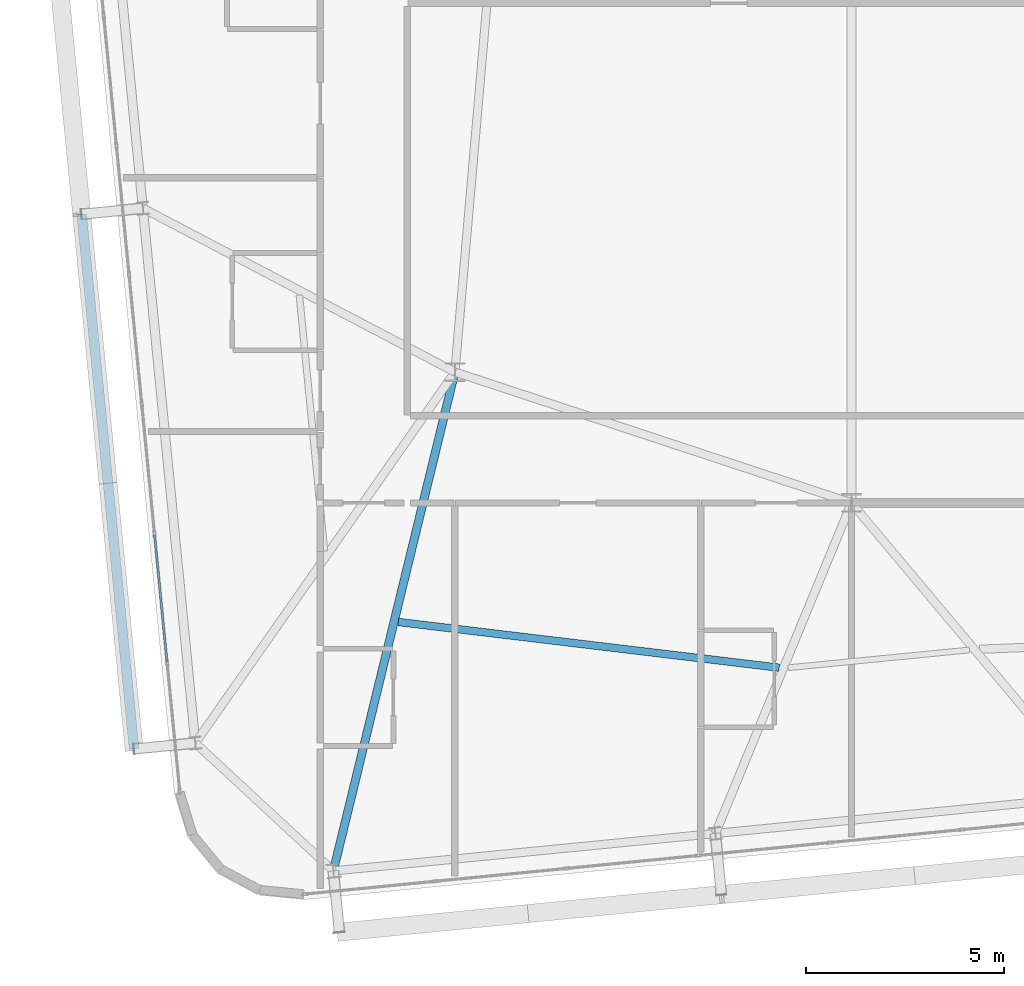
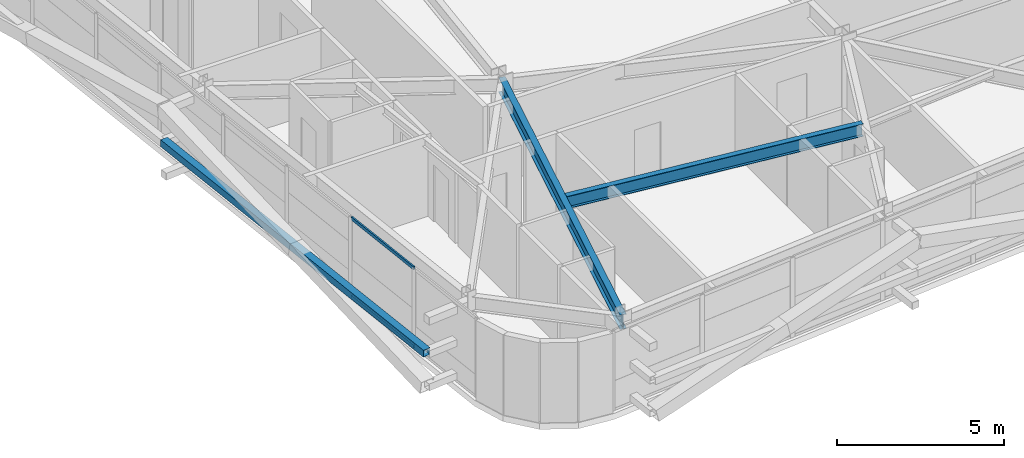
# One storey, part 7 of 53: 3 members, 2 beams, 1 element without a shape of its own.
"""IFC4 building model written with IfcOpenShell, lengths in metres."""

from ifc_helpers import new_model, si_unit, direction, frame, origin, origin_2d, place, context, subcontext, project, spatial, hollow_rectangle, i_section, extrude, source, transform, mapped, material, layer, layer_set, material_profile, profile_set, type_object, element, aggregate, save


model = new_model("IFC4")

# Units and contexts
model_context = context("Model", 3, precision=1e-05, world=origin(), true_north=direction((0.0, 1.0)))
body_context = subcontext(model_context, "Body", "Model", "MODEL_VIEW")
ifc_project = project(units=[si_unit("LENGTHUNIT", "METRE"), si_unit("AREAUNIT", "SQUARE_METRE"), si_unit("VOLUMEUNIT", "CUBIC_METRE"), si_unit("PLANEANGLEUNIT", "RADIAN"), si_unit("MASSUNIT", "GRAM", prefix="KILO")], contexts=[model_context])

# Site, building, storey
site_placement = place(None, origin())
site = spatial("IfcSite", under=ifc_project, at=site_placement, CompositionType="ELEMENT")
building_placement = place(site_placement, origin())
building = spatial("IfcBuilding", under=site, at=building_placement, Name="Taldren Reach Tower", CompositionType="ELEMENT")
storey_placement = place(building_placement, frame((0.0, 0.0, 80.85009765625)))
storey = spatial("IfcBuildingStorey", under=building, at=storey_placement, Name="L24", CompositionType="ELEMENT", Elevation=80.85009765625)

# Beams
ifc_material_1 = material(Name="Steel Gr 350 (350PLUS)", Category="steel")
ifc_material_profile_1 = material_profile(ifc_material_1, i_section(OverallWidth=0.208984375, OverallDepth=0.532958984375, WebThickness=0.01025390625, FlangeThickness=0.015625, at=origin_2d()), Name="530UB92.4")
ifc_profile_set_1 = profile_set([ifc_material_profile_1], Name="Steel Gr 350 (350PLUS)")
beam_type_1 = type_object("IfcBeamType", Name="BM-UB530A", PredefinedType="BEAM", material=ifc_profile_set_1)
shared_shape_1 = source(origin(), body_context, "Body", "SweptSolid", [
    extrude(i_section(OverallWidth=0.208984375, OverallDepth=0.532958984375, WebThickness=0.01025390625, FlangeThickness=0.015625, at=origin_2d()), origin(), (0.0, 0.0, 1.0), 12.947998046875),
])
beam_1_placement = place(storey_placement, frame((18.0, 12.5, 2.663330078125), z_axis=(-0.236786022782, -0.971561824803, 0.0), x_axis=(0.971561824803, -0.236786022782, 0.0)))
element("IfcBeam", 1, at=beam_1_placement, inside=storey, type_object=beam_type_1, Name="Primary floor girder B2-S1 L24", PredefinedType="BEAM", context=body_context, shape_type="MappedRepresentation", body=[
    mapped(shared_shape_1, transform((0.0, 0.0, 0.0), scale=1.0)),
])
ifc_material_profile_2 = material_profile(ifc_material_1, i_section(OverallWidth=0.19091796875, OverallDepth=0.4599609375, WebThickness=0.010009765625, FlangeThickness=0.01611328125, at=origin_2d()), Name="460UB82.1")
ifc_profile_set_2 = profile_set([ifc_material_profile_2], Name="Steel Gr 350 (350PLUS)")
beam_type_2 = type_object("IfcBeamType", Name="BM-UB460A", PredefinedType="BEAM", material=ifc_profile_set_2)
shared_shape_2 = source(origin(), body_context, "Body", "SweptSolid", [
    extrude(i_section(OverallWidth=0.19091796875, OverallDepth=0.4599609375, WebThickness=0.010009765625, FlangeThickness=0.01611328125, at=origin_2d()), origin(), (0.0, 0.0, 1.0), 9.673583984375),
])
beam_2_placement = place(storey_placement, frame((16.571533203125, 6.197509765625, 2.699951171875), z_axis=(0.992879584922, -0.119122331431, 0.0), x_axis=(0.119122331431, 0.992879584922, 0.0)))
element("IfcBeam", 2, at=beam_2_placement, inside=storey, type_object=beam_type_2, Name="Secondary floor beam B2 J1 L24", PredefinedType="BEAM", context=body_context, shape_type="MappedRepresentation", body=[
    mapped(shared_shape_2, transform((0.0, 0.0, 0.0), scale=1.0)),
])

# Member
ifc_material_2 = material(Name="Steel Gr 350 (C350L0)", Category="steel")
ifc_material_profile_3 = material_profile(ifc_material_2, hollow_rectangle(XDim=0.25, YDim=0.25, WallThickness=0.010009765625, at=origin_2d()), Name="250x250x10.0SHS")
ifc_profile_set_3 = profile_set([ifc_material_profile_3], Name="Steel Gr 350 (C350L0)")
member_type_1 = type_object("IfcMemberType", Name="MB-POST250", PredefinedType="POST", material=ifc_profile_set_3)
shared_shape_3 = source(origin(), body_context, "Body", "SweptSolid", [
    extrude(hollow_rectangle(XDim=0.25, YDim=0.25, WallThickness=0.010009765625, at=origin_2d()), origin(), (0.0, 0.0, 1.0), 13.5498046875),
])
member_1_placement = place(storey_placement, frame((9.91015625, 2.99462890625, 1.434814453125), z_axis=(-0.097585771221, 0.995227118428, 0.0), x_axis=(-0.995227118428, -0.097585771221, 0.0)))
element("IfcMember", 3, at=member_1_placement, inside=storey, type_object=member_type_1, Name="Exoskeleton mid-height ring chord B2-W1 L24", PredefinedType="POST", context=body_context, shape_type="MappedRepresentation", body=[
    mapped(shared_shape_3, transform((0.0, 0.0, 0.0), scale=1.0)),
])

# Curtain wall, members
ifc_material_3 = material(Name="Aluminium and Low-E Glass Unitised System", Category="aluminium")
ifc_layer = layer(ifc_material_3, 0.159912109375)
ifc_layer_set = layer_set([ifc_layer], Name="Aluminium and Low-E Glass Unitised System")
curtain_wall_type = type_object("IfcCurtainWallType", Name="CW-SYS-3", PredefinedType="NOTDEFINED", material=ifc_layer_set)
curtain_wall_placement = place(storey_placement, origin())
curtain_wall = element("IfcCurtainWall", 4, at=curtain_wall_placement, inside=storey, type_object=curtain_wall_type, Name="Unitised curtain wall CW-L24-W", PredefinedType="NOTDEFINED")
ifc_material_4 = material(Name="Anodised Aluminium 6063-T6", Category="aluminium")
ifc_material_profile_4 = material_profile(ifc_material_4, hollow_rectangle(XDim=0.054931640625, YDim=0.1201171875, WallThickness=0.0029296875, at=origin_2d()), Name="ALU-120x55x3RHS")
ifc_profile_set_4 = profile_set([ifc_material_profile_4], Name="Anodised Aluminium 6063-T6")
member_type_2 = type_object("IfcMemberType", Name="CW-TRN-135", PredefinedType="USERDEFINED", material=ifc_profile_set_4)
shared_shape_4 = source(origin(), body_context, "Body", "SweptSolid", [
    extrude(hollow_rectangle(XDim=0.054931640625, YDim=0.1201171875, WallThickness=0.0029296875, at=origin_2d()), origin(), (0.0, 0.0, 1.0), 3.212646484375),
])
member_2_placement = place(storey_placement, frame((10.42578125, 8.3935546875, 0.02734375), z_axis=(0.097577327663, -0.995227946315, 0.0), x_axis=(0.995227946315, 0.097577327663, 0.0)))
member_2 = element("IfcMember", 5, at=member_2_placement, type_object=member_type_2, Name="CW-3 transom 8.1", ObjectType="TRANSOM", PredefinedType="USERDEFINED", context=body_context, shape_type="MappedRepresentation", body=[
    mapped(shared_shape_4, transform((0.0, 0.0, 0.0), scale=1.0)),
])
member_3_placement = place(storey_placement, frame((10.42578125, 8.3935546875, 2.90234375), z_axis=(0.097577327663, -0.995227946315, 0.0), x_axis=(0.995227946315, 0.097577327663, 0.0)))
member_3 = element("IfcMember", 6, at=member_3_placement, type_object=member_type_2, Name="CW-3 transom 8.2", ObjectType="TRANSOM", PredefinedType="USERDEFINED", context=body_context, shape_type="MappedRepresentation", body=[
    mapped(shared_shape_4, transform((0.0, 0.0, 0.0), scale=1.0)),
])
aggregate(curtain_wall, [member_2, member_3])

save(model, "model.ifc")
